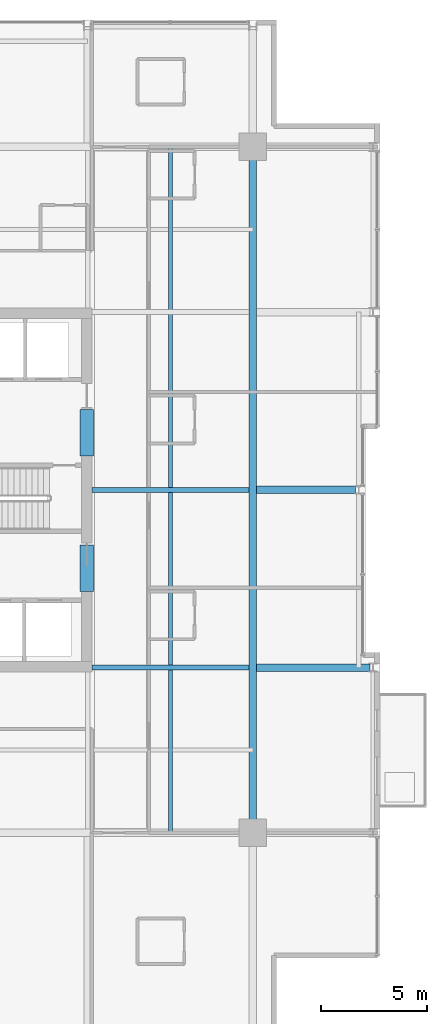
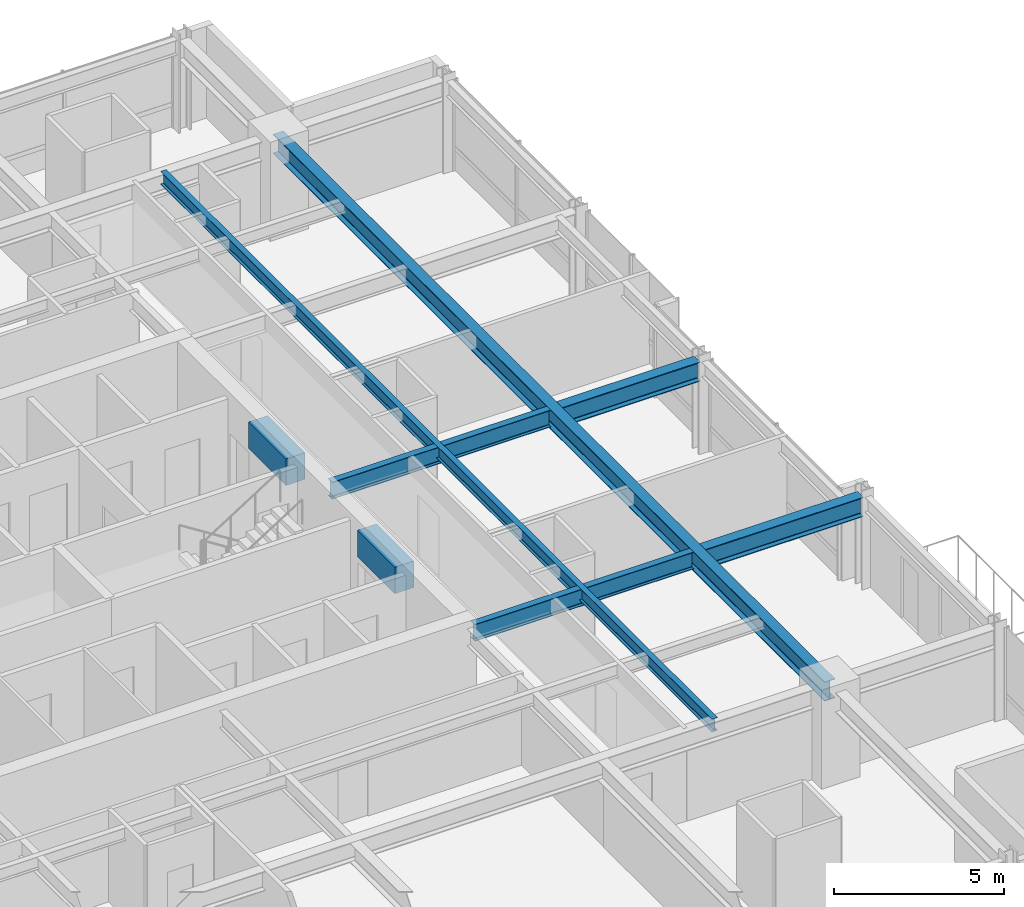
# One storey, part 14 of 33: 8 beams.
"""IFC4 building model written with IfcOpenShell, lengths in metres."""

from ifc_helpers import new_model, si_unit, direction, frame, origin, origin_2d, place, context, subcontext, project, spatial, rectangle, i_section, extrude, material, material_profile, profile_set, type_object, element, save


model = new_model("IFC4")

# Units and contexts
model_context = context("Model", 3, precision=1e-05, world=origin(), true_north=direction((0.0, 1.0)))
body_context = subcontext(model_context, "Body", "Model", "MODEL_VIEW")
ifc_project = project(units=[si_unit("LENGTHUNIT", "METRE"), si_unit("AREAUNIT", "SQUARE_METRE"), si_unit("VOLUMEUNIT", "CUBIC_METRE"), si_unit("PLANEANGLEUNIT", "RADIAN"), si_unit("MASSUNIT", "GRAM", prefix="KILO")], contexts=[model_context])

# Site, building, storey
site_placement = place(None, origin())
site = spatial("IfcSite", under=ifc_project, at=site_placement, CompositionType="ELEMENT")
building_placement = place(site_placement, origin())
building = spatial("IfcBuilding", under=site, at=building_placement, Name="Drelvath Grand Hotel", CompositionType="ELEMENT")
storey_placement = place(building_placement, frame((0.0, 0.0, 161.050048828125)))
storey = spatial("IfcBuildingStorey", under=building, at=storey_placement, Name="L41", CompositionType="ELEMENT", Elevation=161.050048828125)

# Beams
ifc_material_1 = material(Name="Steel ASTM A992 Gr 50", Category="steel")
ifc_material_profile_1 = material_profile(ifc_material_1, i_section(OverallWidth=0.19140625, OverallDepth=0.4599609375, WebThickness=0.010009765625, FlangeThickness=0.01611328125, FilletRadius=0.01611328125, at=origin_2d()), Name="W18X55")
ifc_profile_set_1 = profile_set([ifc_material_profile_1], Name="Steel ASTM A992 Gr 50")
beam_type_1 = type_object("IfcBeamType", Name="Composite Floor Joist W18X55", PredefinedType="JOIST", material=ifc_profile_set_1)
beam_1_placement = place(storey_placement, frame((12.300048828125, 10.800048828125, 3.06005859375), z_axis=(0.0, 1.0, 0.0), x_axis=(-1.0, 0.0, 0.0)))
element("IfcBeam", 1, at=beam_1_placement, inside=storey, type_object=beam_type_1, Name="L41 Wing Floor Joist J4", PredefinedType="JOIST", context=body_context, shape_type="SweptSolid", body=[
    extrude(i_section(OverallWidth=0.19140625, OverallDepth=0.4599609375, WebThickness=0.010009765625, FlangeThickness=0.01611328125, FilletRadius=0.01611328125, at=origin_2d()), origin(), (0.0, 0.0, 1.0), 32.39990234375),
])
ifc_material_2 = material(Name="Concrete f'c 55 MPa", Category="concrete")
ifc_material_profile_2 = material_profile(ifc_material_2, rectangle(XDim=0.64990234375, YDim=0.949951171875, at=origin_2d()), Name="CB650X950")
ifc_profile_set_2 = profile_set([ifc_material_profile_2], Name="Concrete f'c 55 MPa")
beam_type_2 = type_object("IfcBeamType", Name="Core Coupling Lintel CB650X950", PredefinedType="LINTEL", material=ifc_profile_set_2)
for number, where, z_axis, x_axis, name in (
    (2, (8.35009765625, 22.199951171875, 2.81494140625), (0.0, 1.0, 0.0), (-1.0, 0.0, 0.0), "L41 Core Coupling Lintel ES"),
    (3, (8.35009765625, 28.60009765625, 2.81494140625), (0.0, 1.0, 0.0), (-1.0, 0.0, 0.0), "L41 Core Coupling Lintel EN"),
):
    element("IfcBeam", number, at=place(storey_placement, frame(where, z_axis=z_axis, x_axis=x_axis)), inside=storey, type_object=beam_type_2, Name=name, PredefinedType="LINTEL", context=body_context, shape_type="SweptSolid", body=[
        extrude(rectangle(XDim=0.64990234375, YDim=0.949951171875, at=origin_2d()), origin(), (0.0, 0.0, 1.0), 2.199951171875),
    ])
ifc_material_profile_3 = material_profile(ifc_material_1, i_section(OverallWidth=0.228271484375, OverallDepth=0.607666015625, WebThickness=0.01123046875, FlangeThickness=0.017333984375, FilletRadius=0.02001953125, at=origin_2d()), Name="W24X76")
ifc_profile_set_3 = profile_set([ifc_material_profile_3], Name="Steel ASTM A992 Gr 50")
beam_type_3 = type_object("IfcBeamType", Name="Primary Floor Girder W24X76", PredefinedType="BEAM", material=ifc_profile_set_3)
for number, where, z_axis, x_axis, name in (
    (4, (8.60009765625, 18.60009765625, 2.986083984375), (1.0, 0.0, 0.0), (0.0, 1.0, 0.0), "L41 East Core Tie D"),
    (5, (8.60009765625, 27.0, 2.986083984375), (1.0, 0.0, 0.0), (0.0, 1.0, 0.0), "L41 East Core Tie E"),
):
    element("IfcBeam", number, at=place(storey_placement, frame(where, z_axis=z_axis, x_axis=x_axis)), inside=storey, type_object=beam_type_3, Name=name, PredefinedType="BEAM", context=body_context, shape_type="SweptSolid", body=[
        extrude(i_section(OverallWidth=0.228271484375, OverallDepth=0.607666015625, WebThickness=0.01123046875, FlangeThickness=0.017333984375, FilletRadius=0.02001953125, at=origin_2d()), origin(), (0.0, 0.0, 1.0), 7.422607421875),
    ])
ifc_material_profile_4 = material_profile(ifc_material_1, i_section(OverallWidth=0.354736328125, OverallDepth=0.695556640625, WebThickness=0.015380859375, FlangeThickness=0.025146484375, FilletRadius=0.02392578125, at=origin_2d()), Name="W27X146")
ifc_profile_set_4 = profile_set([ifc_material_profile_4], Name="Steel ASTM A992 Gr 50")
beam_type_4 = type_object("IfcBeamType", Name="Primary Floor Girder W27X146", PredefinedType="BEAM", material=ifc_profile_set_4)
beam_2_placement = place(storey_placement, frame((16.199951171875, 10.800048828125, 2.942138671875), z_axis=(0.0, 1.0, 0.0), x_axis=(-1.0, 0.0, 0.0)))
element("IfcBeam", 6, at=beam_2_placement, inside=storey, type_object=beam_type_4, Name="L41 Mega Ring Girder East", PredefinedType="BEAM", context=body_context, shape_type="SweptSolid", body=[
    extrude(i_section(OverallWidth=0.354736328125, OverallDepth=0.695556640625, WebThickness=0.015380859375, FlangeThickness=0.025146484375, FilletRadius=0.02392578125, at=origin_2d()), origin(), (0.0, 0.0, 1.0), 32.39990234375),
])
beam_3_placement = place(storey_placement, frame((16.37744140625, 18.60009765625, 2.942138671875), z_axis=(1.0, 0.0, 0.0), x_axis=(0.0, 1.0, 0.0)))
element("IfcBeam", 7, at=beam_3_placement, inside=storey, type_object=beam_type_4, Name="L41 East Wing Girder D", PredefinedType="BEAM", context=body_context, shape_type="SweptSolid", body=[
    extrude(i_section(OverallWidth=0.354736328125, OverallDepth=0.695556640625, WebThickness=0.015380859375, FlangeThickness=0.025146484375, FilletRadius=0.02392578125, at=origin_2d()), origin(), (0.0, 0.0, 1.0), 5.362548828125),
])
beam_4_placement = place(storey_placement, frame((16.37744140625, 27.0, 2.942138671875), z_axis=(1.0, 0.0, 0.0), x_axis=(0.0, 1.0, 0.0)))
element("IfcBeam", 8, at=beam_4_placement, inside=storey, type_object=beam_type_4, Name="L41 East Wing Girder E", PredefinedType="BEAM", context=body_context, shape_type="SweptSolid", body=[
    extrude(i_section(OverallWidth=0.354736328125, OverallDepth=0.695556640625, WebThickness=0.015380859375, FlangeThickness=0.025146484375, FilletRadius=0.02392578125, at=origin_2d()), origin(), (0.0, 0.0, 1.0), 4.6826171875),
])

save(model, "model.ifc")
